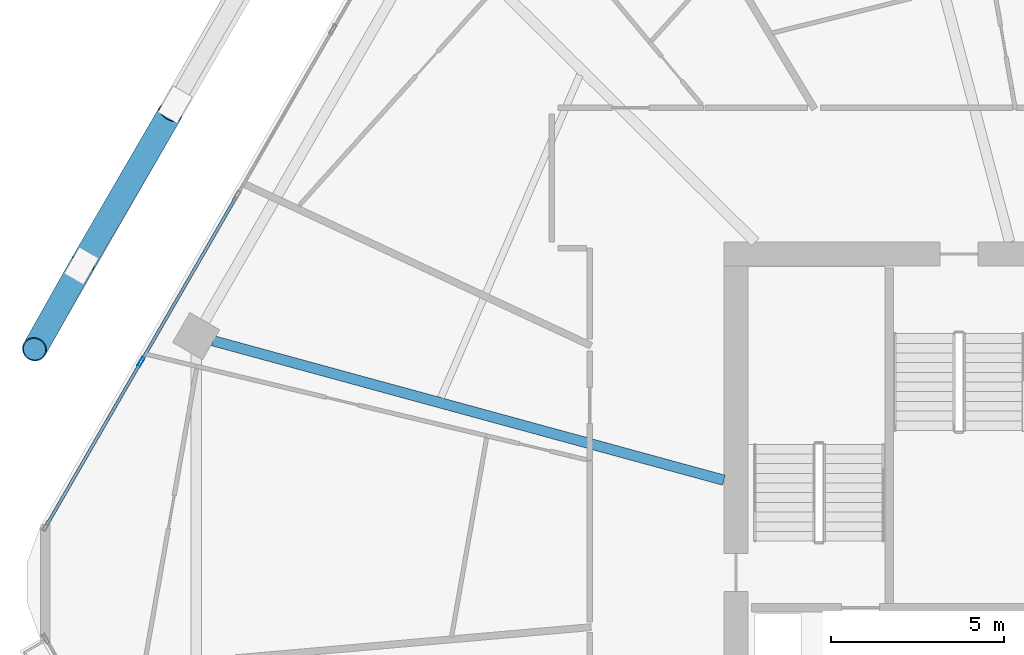
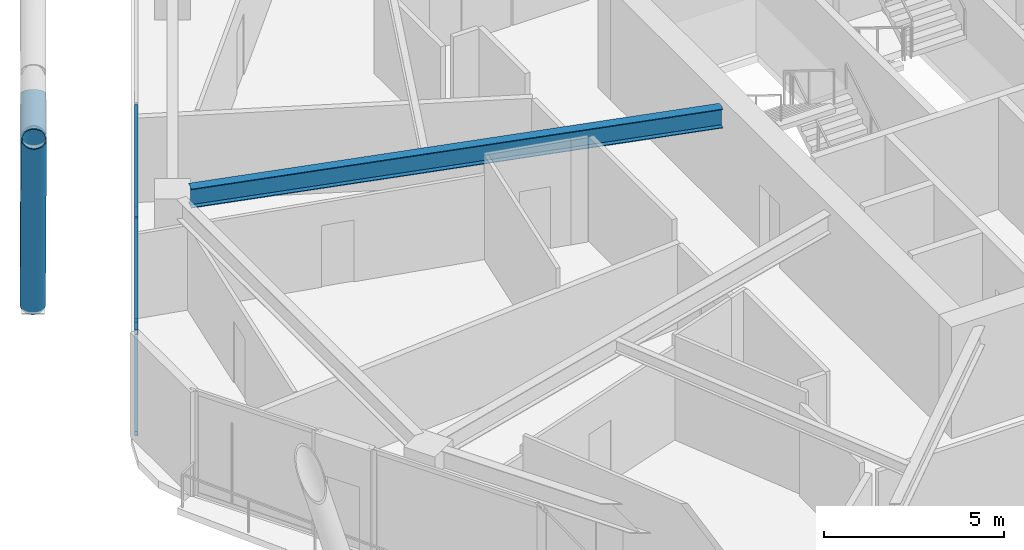
# One storey, part 10 of 28: 7 members, 1 beam, 1 element without a shape of its own.
"""IFC4 building model written with IfcOpenShell, lengths in metres."""

from ifc_helpers import new_model, si_unit, direction, frame, origin, origin_2d, place, context, subcontext, project, spatial, hollow_rectangle, hollow_circle, i_section, extrude, material, material_profile, profile_set, type_object, element, aggregate, save


model = new_model("IFC4")

# Units and contexts
model_context = context("Model", 3, precision=1e-05, world=origin(), true_north=direction((0.0, 1.0)))
body_context = subcontext(model_context, "Body", "Model", "MODEL_VIEW")
ifc_project = project(units=[si_unit("LENGTHUNIT", "METRE"), si_unit("AREAUNIT", "SQUARE_METRE"), si_unit("VOLUMEUNIT", "CUBIC_METRE"), si_unit("PLANEANGLEUNIT", "RADIAN"), si_unit("MASSUNIT", "GRAM", prefix="KILO")], contexts=[model_context])

# Site, building, storey
site_placement = place(None, origin())
site = spatial("IfcSite", under=ifc_project, at=site_placement, CompositionType="ELEMENT")
building_placement = place(site_placement, origin())
building = spatial("IfcBuilding", under=site, at=building_placement, Name="Zuhravey Tower", CompositionType="ELEMENT")
storey_placement = place(building_placement, frame((0.0, 0.0, 169.39990234375)))
storey = spatial("IfcBuildingStorey", under=building, at=storey_placement, Name="L42", CompositionType="ELEMENT", Elevation=169.39990234375)

# Curtain wall, members
ifc_material_1 = material(Name="Thermally broken anodised aluminium", Category="aluminium")
curtain_wall_type = type_object("IfcCurtainWallType", Name="Zone 1-2 Residential Curtain Wall CW3", PredefinedType="NOTDEFINED", material=ifc_material_1)
curtain_wall_placement = place(storey_placement, origin())
curtain_wall = element("IfcCurtainWall", 1, at=curtain_wall_placement, inside=storey, type_object=curtain_wall_type, Name="L42 CW3 CW-L42-F3-1", PredefinedType="NOTDEFINED")
ifc_material_2 = material(Name="Anodised aluminium", Category="aluminium")
ifc_material_profile_1 = material_profile(ifc_material_2, hollow_rectangle(XDim=0.090087890625, YDim=0.284912109375, WallThickness=0.0048828125, at=origin_2d()), Name="ALU-RHS-90x285x5")
ifc_profile_set_1 = profile_set([ifc_material_profile_1], Name="Anodised aluminium")
member_type_1 = type_object("IfcMemberType", Name="Curtain-Wall Mullion 90x180", PredefinedType="MULLION", material=ifc_profile_set_1)
member_1_placement = place(storey_placement, frame((8.300537109375, 38.38916015625, 0.0), z_axis=(0.0, 0.0, 1.0), x_axis=(-0.866025138215, 0.500000459979, 0.0)))
member_1 = element("IfcMember", 2, at=member_1_placement, type_object=member_type_1, Name="CW3 mullion 2", PredefinedType="MULLION", context=body_context, shape_type="SweptSolid", body=[
    extrude(hollow_rectangle(XDim=0.090087890625, YDim=0.284912109375, WallThickness=0.0048828125, at=origin_2d()), origin(), (0.0, 0.0, 1.0), 3.550048828125),
])
ifc_material_profile_2 = material_profile(ifc_material_2, hollow_rectangle(XDim=0.090087890625, YDim=0.14990234375, WallThickness=0.0048828125, at=origin_2d()), Name="ALU-RHS-90x150x5")
ifc_profile_set_2 = profile_set([ifc_material_profile_2], Name="Anodised aluminium")
member_type_2 = type_object("IfcMemberType", Name="Curtain-Wall Transom 90x150", PredefinedType="USERDEFINED", material=ifc_profile_set_2)
member_2_placement = place(storey_placement, frame((5.5732421875, 33.66552734375, 0.045166015625), z_axis=(0.499993332629, 0.866029253159, 0.0), x_axis=(-0.866029253159, 0.499993332629, 0.0)))
member_2 = element("IfcMember", 3, at=member_2_placement, type_object=member_type_2, Name="CW3 transom 1.1", ObjectType="TRANSOM", PredefinedType="USERDEFINED", context=body_context, shape_type="SweptSolid", body=[
    extrude(hollow_rectangle(XDim=0.090087890625, YDim=0.14990234375, WallThickness=0.0048828125, at=origin_2d()), origin(), (0.0, 0.0, 1.0), 5.4091796875),
])
member_3_placement = place(storey_placement, frame((5.5732421875, 33.66552734375, 3.505126953125), z_axis=(0.499993332629, 0.866029253159, 0.0), x_axis=(-0.866029253159, 0.499993332629, 0.0)))
member_3 = element("IfcMember", 4, at=member_3_placement, type_object=member_type_2, Name="CW3 transom 1.2", ObjectType="TRANSOM", PredefinedType="USERDEFINED", context=body_context, shape_type="SweptSolid", body=[
    extrude(hollow_rectangle(XDim=0.090087890625, YDim=0.14990234375, WallThickness=0.0048828125, at=origin_2d()), origin(), (0.0, 0.0, 1.0), 5.4091796875),
])
member_4_placement = place(storey_placement, frame((8.322998046875, 38.427978515625, 0.045166015625), z_axis=(0.49996138257, 0.86604769842, 0.0), x_axis=(-0.86604769842, 0.49996138257, 0.0)))
member_4 = element("IfcMember", 5, at=member_4_placement, type_object=member_type_2, Name="CW3 transom 2.1", ObjectType="TRANSOM", PredefinedType="USERDEFINED", context=body_context, shape_type="SweptSolid", body=[
    extrude(hollow_rectangle(XDim=0.090087890625, YDim=0.14990234375, WallThickness=0.0048828125, at=origin_2d()), origin(), (0.0, 0.0, 1.0), 5.45458984375),
])
member_5_placement = place(storey_placement, frame((8.322998046875, 38.427978515625, 3.505126953125), z_axis=(0.49996138257, 0.86604769842, 0.0), x_axis=(-0.86604769842, 0.49996138257, 0.0)))
member_5 = element("IfcMember", 6, at=member_5_placement, type_object=member_type_2, Name="CW3 transom 2.2", ObjectType="TRANSOM", PredefinedType="USERDEFINED", context=body_context, shape_type="SweptSolid", body=[
    extrude(hollow_rectangle(XDim=0.090087890625, YDim=0.14990234375, WallThickness=0.0048828125, at=origin_2d()), origin(), (0.0, 0.0, 1.0), 5.45458984375),
])
aggregate(curtain_wall, [member_1, member_2, member_3, member_4, member_5])

# Members
ifc_material_3 = material(Name="Steel SM460", Category="steel")
ifc_material_profile_3 = material_profile(ifc_material_3, hollow_circle(Radius=0.355712890625, WallThickness=0.031982421875, at=origin_2d()), Name="CHS-711.2x32")
ifc_profile_set_3 = profile_set([ifc_material_profile_3], Name="Steel SM460")
member_type_3 = type_object("IfcMemberType", Name="Exoskeleton Zone 2 Diagrid CHS711x32", PredefinedType="BRACE", material=ifc_profile_set_3)
member_6_placement = place(storey_placement, frame((6.570556640625, 41.15283203125, -0.44384765625), z_axis=(-0.168210915407, -0.298805683816, 0.939372264471), x_axis=(0.871410102193, -0.490555230118, 0.0)))
element("IfcMember", 7, at=member_6_placement, inside=storey, type_object=member_type_3, Name="L42 Face 3 Diagrid Brace 4", PredefinedType="BRACE", context=body_context, shape_type="SweptSolid", body=[
    extrude(hollow_circle(Radius=0.355712890625, WallThickness=0.031982421875, at=origin_2d()), origin(), (0.0, 0.0, 1.0), 8.048095703125),
])
member_7_placement = place(storey_placement, frame((6.593505859375, 41.192626953125, -0.4365234375), z_axis=(0.410721733314, 0.706831683015, 0.575931098022), x_axis=(-0.864627774747, 0.502412988622, 0.0)))
element("IfcMember", 8, at=member_7_placement, inside=storey, type_object=member_type_3, Name="L42 Face 3 Split Diagrid Brace 3A", PredefinedType="BRACE", context=body_context, shape_type="SweptSolid", body=[
    extrude(hollow_circle(Radius=0.355712890625, WallThickness=0.031982421875, at=origin_2d()), origin(), (0.0, 0.0, 1.0), 6.205078125),
])

# Beam
ifc_material_4 = material(Name="Steel SM355", Category="steel")
ifc_material_profile_4 = material_profile(ifc_material_4, i_section(OverallWidth=0.300048828125, OverallDepth=0.64990234375, WebThickness=0.012939453125, FlangeThickness=0.02197265625, at=origin_2d()), Name="H-650x300x13x22")
ifc_profile_set_4 = profile_set([ifc_material_profile_4], Name="Steel SM355")
beam_type = type_object("IfcBeamType", Name="Radial Primary Girder H650x300", PredefinedType="BEAM", material=ifc_profile_set_4)
beam_placement = place(storey_placement, frame((25.14697265625, 34.96240234375, 3.22509765625), z_axis=(-0.964701601771, 0.263345437667, 0.0), x_axis=(-0.263345437667, -0.964701601771, 0.0)))
element("IfcBeam", 9, at=beam_placement, inside=storey, type_object=beam_type, Name="L42 RG2 BM-L42-RAD-06", PredefinedType="BEAM", context=body_context, shape_type="SweptSolid", body=[
    extrude(i_section(OverallWidth=0.300048828125, OverallDepth=0.64990234375, WebThickness=0.012939453125, FlangeThickness=0.02197265625, at=origin_2d()), origin(), (0.0, 0.0, 1.0), 15.309814453125),
])

save(model, "model.ifc")
